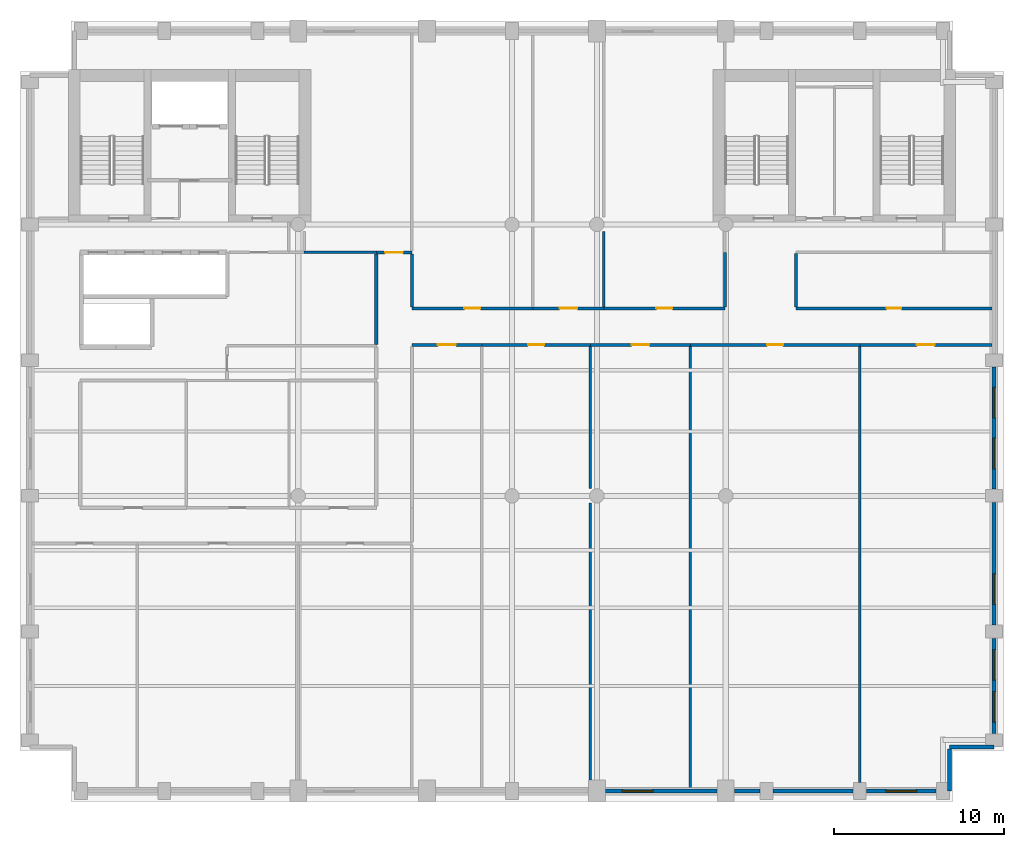
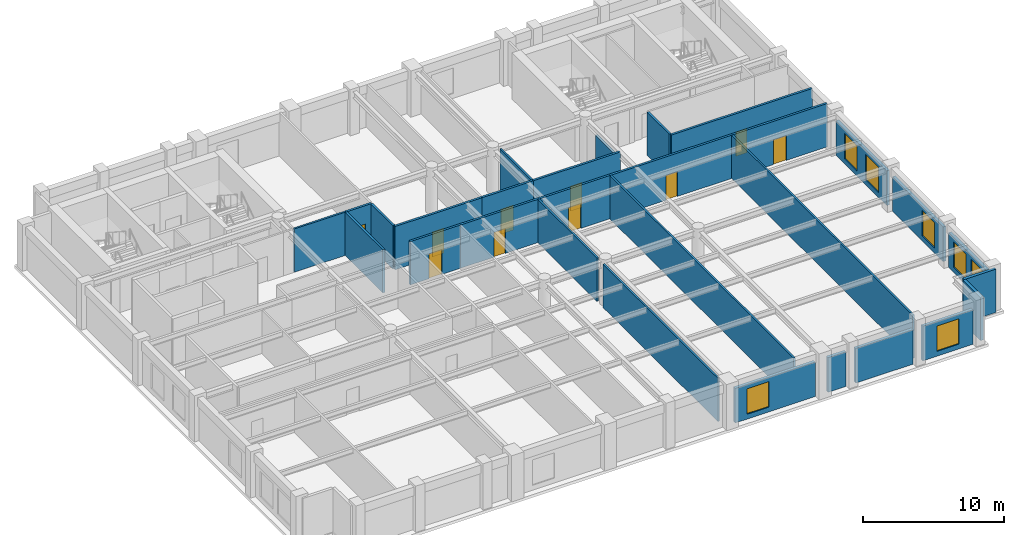
# One storey, part 4 of 8: 29 walls, 10 doors, 7 windows, 17 openings.
"""IFC4 building model written with IfcOpenShell, lengths in metres."""

from ifc_helpers import new_model, si_unit, direction, frame, frame_2d, origin, place, context, subcontext, project, spatial, rectangle, extrude, material, layer, layer_set, type_object, element, fill, save


model = new_model("IFC4")

# Units and contexts
model_context = context("Model", 3, precision=1e-05, world=origin(), true_north=direction((0.0, 1.0)))
body_context = subcontext(model_context, "Body", "Model", "MODEL_VIEW")
ifc_project = project(units=[si_unit("LENGTHUNIT", "METRE"), si_unit("AREAUNIT", "SQUARE_METRE"), si_unit("VOLUMEUNIT", "CUBIC_METRE"), si_unit("PLANEANGLEUNIT", "RADIAN"), si_unit("MASSUNIT", "GRAM", prefix="KILO")], contexts=[model_context])

# Site, building, storey
site_placement = place(None, origin())
site = spatial("IfcSite", under=ifc_project, at=site_placement, CompositionType="ELEMENT")
building_placement = place(site_placement, origin())
building = spatial("IfcBuilding", under=site, at=building_placement, Name="Sulina Concourse Tower", CompositionType="ELEMENT")
storey_placement = place(building_placement, frame((0.0, 0.0, 264.60009765625)))
storey = spatial("IfcBuildingStorey", under=building, at=storey_placement, Name="L64", CompositionType="ELEMENT", Elevation=264.60009765625)

# Wall, opening, window
ifc_material_1 = material(Name="Precast concrete C50/60", Category="concrete")
ifc_layer_1 = layer(ifc_material_1, 0.239990234375)
ifc_layer_set_1 = layer_set([ifc_layer_1], Name="Precast concrete C50/60")
wall_type_1 = type_object("IfcWallType", Name="Crown Precast Masonry-Frame Facade Wall 240mm", PredefinedType="SOLIDWALL", material=ifc_layer_set_1)
wall_1_placement = place(storey_placement, frame((41.080078125, 0.60009765625, 0.0), z_axis=(0.0, 0.0, 1.0), x_axis=(-1.0, 0.0, 0.0)))
wall_1 = element("IfcWall", 1, at=wall_1_placement, inside=storey, type_object=wall_type_1, Name="L64 exterior precast wall S7", PredefinedType="SOLIDWALL", context=body_context, shape_type="SweptSolid", body=[
    extrude(rectangle(XDim=6.56005859375, YDim=0.239990234375, at=frame_2d((3.280029296875, 0.0))), origin(), (0.0, 0.0, 1.0), 3.0),
])
opening_1_placement = place(wall_1_placement, frame((3.773193359375, 0.0, 0.419921875)))
opening_1 = element("IfcOpeningElement", 2, at=opening_1_placement, cuts=wall_1, Name="Opening WN-25", PredefinedType="OPENING", context=body_context, shape_type="SweptSolid", body=[
    extrude(rectangle(XDim=1.800048828125, YDim=2.199951171875, at=frame_2d((0.89990234375, 1.10009765625))), frame((0.0, 0.1298828125, 0.0), z_axis=(0.0, -1.0, 0.0), x_axis=(1.0, 0.0, 0.0)), (0.0, 0.0, 1.0), 0.260009765625),
])
ifc_material_2 = material(Name="Low-E solar double glazing in bronze aluminium", Category="aluminium")
window_type = type_object("IfcWindowType", Name="Punched Masonry-Frame Window 1800x2200", PartitioningType="SINGLE_PANEL", PredefinedType="WINDOW", material=ifc_material_2)
window_1_placement = place(opening_1_placement, origin())
window_1 = element("IfcWindow", 3, at=window_1_placement, inside=storey, type_object=window_type, Name="L64 punched window S7-1", OverallHeight=2.199951171875, OverallWidth=1.800048828125, PartitioningType="SINGLE_PANEL", PredefinedType="WINDOW", context=body_context, shape_type="SweptSolid", body=[
    extrude(rectangle(XDim=1.800048828125, YDim=2.199951171875, at=frame_2d((0.89990234375, 1.10009765625))), frame((0.0, 0.030029296875, 0.0), z_axis=(0.0, -1.0, 0.0), x_axis=(1.0, 0.0, 0.0)), (0.0, 0.0, 1.0), 0.06005859375),
])
fill(opening_1, window_1)

# Walls
wall_2_placement = place(storey_placement, frame((43.60498046875, 0.60009765625, 0.0), z_axis=(0.0, 0.0, 1.0), x_axis=(-1.0, 0.0, 0.0)))
element("IfcWall", 4, at=wall_2_placement, inside=storey, type_object=wall_type_1, Name="L64 exterior precast wall S8", PredefinedType="SOLIDWALL", context=body_context, shape_type="SweptSolid", body=[
    extrude(rectangle(XDim=1.48486328125, YDim=0.239990234375, at=frame_2d((0.742431640625, 0.0))), origin(), (0.0, 0.0, 1.0), 3.0),
])
wall_3_placement = place(storey_placement, frame((49.10498046875, 0.60009765625, 0.0), z_axis=(0.0, 0.0, 1.0), x_axis=(-1.0, 0.0, 0.0)))
element("IfcWall", 5, at=wall_3_placement, inside=storey, type_object=wall_type_1, Name="L64 exterior precast wall S9", PredefinedType="SOLIDWALL", context=body_context, shape_type="SweptSolid", body=[
    extrude(rectangle(XDim=4.7099609375, YDim=0.239990234375, at=frame_2d((2.35498046875, 0.0))), origin(), (0.0, 0.0, 1.0), 3.0),
])

# Wall, opening, window
wall_4_placement = place(storey_placement, frame((54.0048828125, 0.60009765625, 0.0), z_axis=(0.0, 0.0, 1.0), x_axis=(-1.0, 0.0, 0.0)))
wall_4 = element("IfcWall", 6, at=wall_4_placement, inside=storey, type_object=wall_type_1, Name="L64 exterior precast wall S10", PredefinedType="SOLIDWALL", context=body_context, shape_type="SweptSolid", body=[
    extrude(rectangle(XDim=4.10986328125, YDim=0.239990234375, at=frame_2d((2.054931640625, 0.0))), origin(), (0.0, 0.0, 1.0), 3.0),
])
opening_2_placement = place(wall_4_placement, frame((1.155029296875, 0.0, 0.419921875)))
opening_2 = element("IfcOpeningElement", 7, at=opening_2_placement, cuts=wall_4, Name="Opening WN-25", PredefinedType="OPENING", context=body_context, shape_type="SweptSolid", body=[
    extrude(rectangle(XDim=1.800048828125, YDim=2.199951171875, at=frame_2d((0.89990234375, 1.10009765625))), frame((0.0, 0.1298828125, 0.0), z_axis=(0.0, -1.0, 0.0), x_axis=(1.0, 0.0, 0.0)), (0.0, 0.0, 1.0), 0.260009765625),
])
window_2_placement = place(opening_2_placement, origin())
window_2 = element("IfcWindow", 8, at=window_2_placement, inside=storey, type_object=window_type, Name="L64 punched window S10-1", OverallHeight=2.199951171875, OverallWidth=1.800048828125, PartitioningType="SINGLE_PANEL", PredefinedType="WINDOW", context=body_context, shape_type="SweptSolid", body=[
    extrude(rectangle(XDim=1.800048828125, YDim=2.199951171875, at=frame_2d((0.89990234375, 1.10009765625))), frame((0.0, 0.030029296875, 0.0), z_axis=(0.0, -1.0, 0.0), x_axis=(1.0, 0.0, 0.0)), (0.0, 0.0, 1.0), 0.06005859375),
])
fill(opening_2, window_2)

# Wall, openings, windows
wall_5_placement = place(storey_placement, frame((57.39990234375, 9.60498046875, 0.0), z_axis=(0.0, 0.0, 1.0), x_axis=(0.0, -1.0, 0.0)))
wall_5 = element("IfcWall", 9, at=wall_5_placement, inside=storey, type_object=wall_type_1, Name="L64 exterior precast wall E1", PredefinedType="SOLIDWALL", context=body_context, shape_type="SweptSolid", body=[
    extrude(rectangle(XDim=5.60986328125, YDim=0.239990234375, at=frame_2d((2.804931640625, 0.0))), origin(), (0.0, 0.0, 1.0), 3.0),
])
opening_3_placement = place(wall_5_placement, frame((0.669921875, 0.0, 0.419921875)))
opening_3 = element("IfcOpeningElement", 10, at=opening_3_placement, cuts=wall_5, Name="Opening WN-25", PredefinedType="OPENING", context=body_context, shape_type="SweptSolid", body=[
    extrude(rectangle(XDim=1.800048828125, YDim=2.199951171875, at=frame_2d((0.89990234375, 1.10009765625))), frame((0.0, 0.1298828125, 0.0), z_axis=(0.0, -1.0, 0.0), x_axis=(1.0, 0.0, 0.0)), (0.0, 0.0, 1.0), 0.260009765625),
])
opening_4_placement = place(wall_5_placement, frame((3.139892578125, 0.0, 0.419921875)))
opening_4 = element("IfcOpeningElement", 11, at=opening_4_placement, cuts=wall_5, Name="Opening WN-25", PredefinedType="OPENING", context=body_context, shape_type="SweptSolid", body=[
    extrude(rectangle(XDim=1.800048828125, YDim=2.199951171875, at=frame_2d((0.89990234375, 1.10009765625))), frame((0.0, 0.1298828125, 0.0), z_axis=(0.0, -1.0, 0.0), x_axis=(1.0, 0.0, 0.0)), (0.0, 0.0, 1.0), 0.260009765625),
])
window_3_placement = place(opening_3_placement, origin())
window_3 = element("IfcWindow", 12, at=window_3_placement, inside=storey, type_object=window_type, Name="L64 punched window E1-1", OverallHeight=2.199951171875, OverallWidth=1.800048828125, PartitioningType="SINGLE_PANEL", PredefinedType="WINDOW", context=body_context, shape_type="SweptSolid", body=[
    extrude(rectangle(XDim=1.800048828125, YDim=2.199951171875, at=frame_2d((0.89990234375, 1.10009765625))), frame((0.0, 0.030029296875, 0.0), z_axis=(0.0, -1.0, 0.0), x_axis=(1.0, 0.0, 0.0)), (0.0, 0.0, 1.0), 0.06005859375),
])
fill(opening_3, window_3)
window_4_placement = place(opening_4_placement, origin())
window_4 = element("IfcWindow", 13, at=window_4_placement, inside=storey, type_object=window_type, Name="L64 punched window E1-2", OverallHeight=2.199951171875, OverallWidth=1.800048828125, PartitioningType="SINGLE_PANEL", PredefinedType="WINDOW", context=body_context, shape_type="SweptSolid", body=[
    extrude(rectangle(XDim=1.800048828125, YDim=2.199951171875, at=frame_2d((0.89990234375, 1.10009765625))), frame((0.0, 0.030029296875, 0.0), z_axis=(0.0, -1.0, 0.0), x_axis=(1.0, 0.0, 0.0)), (0.0, 0.0, 1.0), 0.06005859375),
])
fill(opening_4, window_4)

# Wall, opening, window
wall_6_placement = place(storey_placement, frame((57.39990234375, 17.60498046875, 0.0), z_axis=(0.0, 0.0, 1.0), x_axis=(0.0, -1.0, 0.0)))
wall_6 = element("IfcWall", 14, at=wall_6_placement, inside=storey, type_object=wall_type_1, Name="L64 exterior precast wall E2", PredefinedType="SOLIDWALL", context=body_context, shape_type="SweptSolid", body=[
    extrude(rectangle(XDim=7.2099609375, YDim=0.239990234375, at=frame_2d((3.60498046875, 0.0))), origin(), (0.0, 0.0, 1.0), 3.0),
])
opening_5_placement = place(wall_6_placement, frame((4.206787109375, 0.0, 0.419921875)))
opening_5 = element("IfcOpeningElement", 15, at=opening_5_placement, cuts=wall_6, Name="Opening WN-25", PredefinedType="OPENING", context=body_context, shape_type="SweptSolid", body=[
    extrude(rectangle(XDim=1.800048828125, YDim=2.199951171875, at=frame_2d((0.89990234375, 1.10009765625))), frame((0.0, 0.1298828125, 0.0), z_axis=(0.0, -1.0, 0.0), x_axis=(1.0, 0.0, 0.0)), (0.0, 0.0, 1.0), 0.260009765625),
])
window_5_placement = place(opening_5_placement, origin())
window_5 = element("IfcWindow", 16, at=window_5_placement, inside=storey, type_object=window_type, Name="L64 punched window E2-1", OverallHeight=2.199951171875, OverallWidth=1.800048828125, PartitioningType="SINGLE_PANEL", PredefinedType="WINDOW", context=body_context, shape_type="SweptSolid", body=[
    extrude(rectangle(XDim=1.800048828125, YDim=2.199951171875, at=frame_2d((0.89990234375, 1.10009765625))), frame((0.0, 0.030029296875, 0.0), z_axis=(0.0, -1.0, 0.0), x_axis=(1.0, 0.0, 0.0)), (0.0, 0.0, 1.0), 0.06005859375),
])
fill(opening_5, window_5)

# Wall, openings, windows
wall_7_placement = place(storey_placement, frame((57.39990234375, 25.60498046875, 0.0), z_axis=(0.0, 0.0, 1.0), x_axis=(0.0, -1.0, 0.0)))
wall_7 = element("IfcWall", 17, at=wall_7_placement, inside=storey, type_object=wall_type_1, Name="L64 exterior precast wall E3", PredefinedType="SOLIDWALL", context=body_context, shape_type="SweptSolid", body=[
    extrude(rectangle(XDim=7.2099609375, YDim=0.239990234375, at=frame_2d((3.60498046875, 0.0))), origin(), (0.0, 0.0, 1.0), 3.0),
])
opening_6_placement = place(wall_7_placement, frame((1.203369140625, 0.0, 0.419921875)))
opening_6 = element("IfcOpeningElement", 18, at=opening_6_placement, cuts=wall_7, Name="Opening WN-25", PredefinedType="OPENING", context=body_context, shape_type="SweptSolid", body=[
    extrude(rectangle(XDim=1.800048828125, YDim=2.199951171875, at=frame_2d((0.89990234375, 1.10009765625))), frame((0.0, 0.1298828125, 0.0), z_axis=(0.0, -1.0, 0.0), x_axis=(1.0, 0.0, 0.0)), (0.0, 0.0, 1.0), 0.260009765625),
])
opening_7_placement = place(wall_7_placement, frame((4.206787109375, 0.0, 0.419921875)))
opening_7 = element("IfcOpeningElement", 19, at=opening_7_placement, cuts=wall_7, Name="Opening WN-25", PredefinedType="OPENING", context=body_context, shape_type="SweptSolid", body=[
    extrude(rectangle(XDim=1.800048828125, YDim=2.199951171875, at=frame_2d((0.89990234375, 1.10009765625))), frame((0.0, 0.1298828125, 0.0), z_axis=(0.0, -1.0, 0.0), x_axis=(1.0, 0.0, 0.0)), (0.0, 0.0, 1.0), 0.260009765625),
])
window_6_placement = place(opening_6_placement, origin())
window_6 = element("IfcWindow", 20, at=window_6_placement, inside=storey, type_object=window_type, Name="L64 punched window E3-1", OverallHeight=2.199951171875, OverallWidth=1.800048828125, PartitioningType="SINGLE_PANEL", PredefinedType="WINDOW", context=body_context, shape_type="SweptSolid", body=[
    extrude(rectangle(XDim=1.800048828125, YDim=2.199951171875, at=frame_2d((0.89990234375, 1.10009765625))), frame((0.0, 0.030029296875, 0.0), z_axis=(0.0, -1.0, 0.0), x_axis=(1.0, 0.0, 0.0)), (0.0, 0.0, 1.0), 0.06005859375),
])
fill(opening_6, window_6)
window_7_placement = place(opening_7_placement, origin())
window_7 = element("IfcWindow", 21, at=window_7_placement, inside=storey, type_object=window_type, Name="L64 punched window E3-2", OverallHeight=2.199951171875, OverallWidth=1.800048828125, PartitioningType="SINGLE_PANEL", PredefinedType="WINDOW", context=body_context, shape_type="SweptSolid", body=[
    extrude(rectangle(XDim=1.800048828125, YDim=2.199951171875, at=frame_2d((0.89990234375, 1.10009765625))), frame((0.0, 0.030029296875, 0.0), z_axis=(0.0, -1.0, 0.0), x_axis=(1.0, 0.0, 0.0)), (0.0, 0.0, 1.0), 0.06005859375),
])
fill(opening_7, window_7)

# Walls
wall_8_placement = place(storey_placement, frame((57.39990234375, 3.205078125, 0.0), z_axis=(0.0, 0.0, 1.0), x_axis=(-1.0, 0.0, 0.0)))
element("IfcWall", 22, at=wall_8_placement, inside=storey, type_object=wall_type_1, Name="L64 exterior precast wall CSE1", PredefinedType="SOLIDWALL", context=body_context, shape_type="SweptSolid", body=[
    extrude(rectangle(XDim=2.60498046875, YDim=0.239990234375, at=frame_2d((1.302490234375, 0.0))), origin(), (0.0, 0.0, 1.0), 3.75),
])
wall_9_placement = place(storey_placement, frame((54.794921875, 3.080078125, 0.0), z_axis=(0.0, 0.0, 1.0), x_axis=(0.0, -1.0, 0.0)))
element("IfcWall", 23, at=wall_9_placement, inside=storey, type_object=wall_type_1, Name="L64 exterior precast wall CSE2", PredefinedType="SOLIDWALL", context=body_context, shape_type="SweptSolid", body=[
    extrude(rectangle(XDim=2.47998046875, YDim=0.239990234375, at=frame_2d((1.239990234375, 0.0))), origin(), (0.0, 0.0, 1.0), 3.75),
])
ifc_material_3 = material(Name="Gypsum board on steel stud", Category="steel")
ifc_layer_2 = layer(ifc_material_3, 0.14990234375)
ifc_layer_set_2 = layer_set([ifc_layer_2], Name="Gypsum board on steel stud")
wall_type_2 = type_object("IfcWallType", Name="Inter-Tenancy Acoustic Partition 150mm", PredefinedType="PARTITIONING", material=ifc_layer_set_2)
wall_10_placement = place(storey_placement, frame((16.75, 32.35009765625, 0.0), z_axis=(0.0, 0.0, 1.0), x_axis=(1.0, 0.0, 0.0)))
element("IfcWall", 24, at=wall_10_placement, inside=storey, type_object=wall_type_2, Name="L64 interior partition 023", PredefinedType="PARTITIONING", context=body_context, shape_type="SweptSolid", body=[
    extrude(rectangle(XDim=4.25, YDim=0.14990234375, at=frame_2d((2.125, 0.0))), origin(), (0.0, 0.0, 1.0), 3.75),
])
wall_11_placement = place(storey_placement, frame((33.6201171875, 1.25, 0.0), z_axis=(0.0, 0.0, 1.0), x_axis=(0.0, 1.0, 0.0)))
element("IfcWall", 25, at=wall_11_placement, inside=storey, type_object=wall_type_2, Name="L64 interior partition 050", PredefinedType="PARTITIONING", context=body_context, shape_type="SweptSolid", body=[
    extrude(rectangle(XDim=16.324951171875, YDim=0.14990234375, at=frame_2d((8.16259765625, 0.0))), origin(), (0.0, 0.0, 1.0), 3.75),
])
wall_12_placement = place(storey_placement, frame((33.6201171875, 18.425048828125, 0.0), z_axis=(0.0, 0.0, 1.0), x_axis=(0.0, 1.0, 0.0)))
element("IfcWall", 26, at=wall_12_placement, inside=storey, type_object=wall_type_2, Name="L64 interior partition 051", PredefinedType="PARTITIONING", context=body_context, shape_type="SweptSolid", body=[
    extrude(rectangle(XDim=8.385009765625, YDim=0.14990234375, at=frame_2d((4.1923828125, 0.0))), origin(), (0.0, 0.0, 1.0), 3.75),
])
wall_13_placement = place(storey_placement, frame((34.419921875, 29.139892578125, 0.0), z_axis=(0.0, 0.0, 1.0), x_axis=(0.0, 1.0, 0.0)))
element("IfcWall", 27, at=wall_13_placement, inside=storey, type_object=wall_type_2, Name="L64 interior partition 052", PredefinedType="PARTITIONING", context=body_context, shape_type="SweptSolid", body=[
    extrude(rectangle(XDim=4.43505859375, YDim=0.14990234375, at=frame_2d((2.217529296875, 0.0))), origin(), (0.0, 0.0, 1.0), 3.75),
])
wall_14_placement = place(storey_placement, frame((39.52001953125, 0.719970703125, 0.0), z_axis=(0.0, 0.0, 1.0), x_axis=(0.0, 1.0, 0.0)))
element("IfcWall", 28, at=wall_14_placement, inside=storey, type_object=wall_type_2, Name="L64 interior partition 054", PredefinedType="PARTITIONING", context=body_context, shape_type="SweptSolid", body=[
    extrude(rectangle(XDim=26.090087890625, YDim=0.14990234375, at=frame_2d((13.044921875, 0.0))), origin(), (0.0, 0.0, 1.0), 3.75),
])
wall_15_placement = place(storey_placement, frame((49.5, 1.10009765625, 0.0), z_axis=(0.0, 0.0, 1.0), x_axis=(0.0, 1.0, 0.0)))
element("IfcWall", 29, at=wall_15_placement, inside=storey, type_object=wall_type_2, Name="L64 interior partition 060", PredefinedType="PARTITIONING", context=body_context, shape_type="SweptSolid", body=[
    extrude(rectangle(XDim=25.7099609375, YDim=0.14990234375, at=frame_2d((12.85498046875, 0.0))), origin(), (0.0, 0.0, 1.0), 3.75),
])

# Wall, opening, door
ifc_material_4 = material(Name="Gypsum board on steel stud", Category="steel")
ifc_layer_3 = layer(ifc_material_4, 0.179931640625)
ifc_layer_set_3 = layer_set([ifc_layer_3], Name="Gypsum board on steel stud")
wall_type_3 = type_object("IfcWallType", Name="Protected Corridor & Riser Partition 180mm", PredefinedType="PARTITIONING", material=ifc_layer_set_3)
wall_16_placement = place(storey_placement, frame((23.10009765625, 26.89990234375, 0.0), z_axis=(0.0, 0.0, 1.0), x_axis=(1.0, 0.0, 0.0)))
wall_16 = element("IfcWall", 30, at=wall_16_placement, inside=storey, type_object=wall_type_3, Name="L64 interior partition 012", PredefinedType="PARTITIONING", context=body_context, shape_type="SweptSolid", body=[
    extrude(rectangle(XDim=4.119873046875, YDim=0.179931640625, at=frame_2d((2.06005859375, 0.0))), origin(), (0.0, 0.0, 1.0), 3.75),
])
opening_8_placement = place(wall_16_placement, frame((1.534912109375, 0.0, 0.0)))
opening_8 = element("IfcOpeningElement", 31, at=opening_8_placement, cuts=wall_16, Name="Opening DR-37", PredefinedType="OPENING", context=body_context, shape_type="SweptSolid", body=[
    extrude(rectangle(XDim=1.050048828125, YDim=2.14990234375, at=frame_2d((0.52490234375, 1.074951171875))), frame((0.0, 0.099853515625, 0.0), z_axis=(0.0, -1.0, 0.0), x_axis=(1.0, 0.0, 0.0)), (0.0, 0.0, 1.0), 0.199951171875),
])
ifc_material_5 = material(Name="Oak-veneered fire door leaf")
ifc_layer_4 = layer(ifc_material_5, 0.050048828125)
ifc_layer_set_4 = layer_set([ifc_layer_4], Name="Oak-veneered fire door leaf")
door_type_1 = type_object("IfcDoorType", Name="Tenant Suite Entrance Fire Door 1050x2150", OperationType="NOTDEFINED", PredefinedType="DOOR", material=ifc_layer_set_4)
door_1_placement = place(opening_8_placement, origin())
door_1 = element("IfcDoor", 32, at=door_1_placement, inside=storey, type_object=door_type_1, Name="L64 interior door L64-S04", OperationType="SINGLE_SWING_RIGHT", OverallHeight=2.14990234375, OverallWidth=1.050048828125, PredefinedType="DOOR", context=body_context, shape_type="SweptSolid", body=[
    extrude(rectangle(XDim=1.050048828125, YDim=2.14990234375, at=frame_2d((0.52490234375, 1.074951171875))), frame((0.0, 0.02490234375, 0.0), z_axis=(0.0, -1.0, 0.0), x_axis=(1.0, 0.0, 0.0)), (0.0, 0.0, 1.0), 0.050048828125),
])
fill(opening_8, door_1)

wall_17_placement = place(storey_placement, frame((27.219970703125, 26.89990234375, 0.0), z_axis=(0.0, 0.0, 1.0), x_axis=(1.0, 0.0, 0.0)))
wall_17 = element("IfcWall", 33, at=wall_17_placement, inside=storey, type_object=wall_type_3, Name="L64 interior partition 013", PredefinedType="PARTITIONING", context=body_context, shape_type="SweptSolid", body=[
    extrude(rectangle(XDim=6.400146484375, YDim=0.179931640625, at=frame_2d((3.2001953125, 0.0))), origin(), (0.0, 0.0, 1.0), 3.75),
])
opening_9_placement = place(wall_17_placement, frame((2.72509765625, 0.0, 0.0)))
opening_9 = element("IfcOpeningElement", 34, at=opening_9_placement, cuts=wall_17, Name="Opening DR-19", PredefinedType="OPENING", context=body_context, shape_type="SweptSolid", body=[
    extrude(rectangle(XDim=0.949951171875, YDim=2.14990234375, at=frame_2d((0.47509765625, 1.074951171875))), frame((0.0, 0.099853515625, 0.0), z_axis=(0.0, -1.0, 0.0), x_axis=(1.0, 0.0, 0.0)), (0.0, 0.0, 1.0), 0.199951171875),
])
ifc_material_6 = material(Name="Oak-veneered acoustic timber leaf", Category="wood")
ifc_layer_5 = layer(ifc_material_6, 0.050048828125)
ifc_layer_set_5 = layer_set([ifc_layer_5], Name="Oak-veneered acoustic timber leaf")
door_type_2 = type_object("IfcDoorType", Name="Cellular Office & Meeting Door 950x2150", OperationType="NOTDEFINED", PredefinedType="DOOR", material=ifc_layer_set_5)
door_2_placement = place(opening_9_placement, origin())
door_2 = element("IfcDoor", 35, at=door_2_placement, inside=storey, type_object=door_type_2, Name="L64 interior door L64-S05A", OperationType="SINGLE_SWING_LEFT", OverallHeight=2.14990234375, OverallWidth=0.949951171875, PredefinedType="DOOR", context=body_context, shape_type="SweptSolid", body=[
    extrude(rectangle(XDim=0.949951171875, YDim=2.14990234375, at=frame_2d((0.47509765625, 1.074951171875))), frame((0.0, 0.02490234375, 0.0), z_axis=(0.0, -1.0, 0.0), x_axis=(1.0, 0.0, 0.0)), (0.0, 0.0, 1.0), 0.050048828125),
])
fill(opening_9, door_2)

wall_18_placement = place(storey_placement, frame((33.6201171875, 26.89990234375, 0.0), z_axis=(0.0, 0.0, 1.0), x_axis=(1.0, 0.0, 0.0)))
wall_18 = element("IfcWall", 36, at=wall_18_placement, inside=storey, type_object=wall_type_3, Name="L64 interior partition 014", PredefinedType="PARTITIONING", context=body_context, shape_type="SweptSolid", body=[
    extrude(rectangle(XDim=5.89990234375, YDim=0.179931640625, at=frame_2d((2.949951171875, 0.0))), origin(), (0.0, 0.0, 1.0), 3.75),
])
opening_10_placement = place(wall_18_placement, frame((2.425048828125, 0.0, 0.0)))
opening_10 = element("IfcOpeningElement", 37, at=opening_10_placement, cuts=wall_18, Name="Opening DR-37", PredefinedType="OPENING", context=body_context, shape_type="SweptSolid", body=[
    extrude(rectangle(XDim=1.050048828125, YDim=2.14990234375, at=frame_2d((0.52490234375, 1.074951171875))), frame((0.0, 0.099853515625, 0.0), z_axis=(0.0, -1.0, 0.0), x_axis=(1.0, 0.0, 0.0)), (0.0, 0.0, 1.0), 0.199951171875),
])
door_3_placement = place(opening_10_placement, origin())
door_3 = element("IfcDoor", 38, at=door_3_placement, inside=storey, type_object=door_type_1, Name="L64 interior door L64-S05B", OperationType="SINGLE_SWING_RIGHT", OverallHeight=2.14990234375, OverallWidth=1.050048828125, PredefinedType="DOOR", context=body_context, shape_type="SweptSolid", body=[
    extrude(rectangle(XDim=1.050048828125, YDim=2.14990234375, at=frame_2d((0.52490234375, 1.074951171875))), frame((0.0, 0.02490234375, 0.0), z_axis=(0.0, -1.0, 0.0), x_axis=(1.0, 0.0, 0.0)), (0.0, 0.0, 1.0), 0.050048828125),
])
fill(opening_10, door_3)

wall_19_placement = place(storey_placement, frame((39.52001953125, 26.89990234375, 0.0), z_axis=(0.0, 0.0, 1.0), x_axis=(1.0, 0.0, 0.0)))
wall_19 = element("IfcWall", 39, at=wall_19_placement, inside=storey, type_object=wall_type_3, Name="L64 interior partition 015", PredefinedType="PARTITIONING", context=body_context, shape_type="SweptSolid", body=[
    extrude(rectangle(XDim=9.97998046875, YDim=0.179931640625, at=frame_2d((4.989990234375, 0.0))), origin(), (0.0, 0.0, 1.0), 3.75),
])
opening_11_placement = place(wall_19_placement, frame((4.514892578125, 0.0, 0.0)))
opening_11 = element("IfcOpeningElement", 40, at=opening_11_placement, cuts=wall_19, Name="Opening DR-19", PredefinedType="OPENING", context=body_context, shape_type="SweptSolid", body=[
    extrude(rectangle(XDim=0.949951171875, YDim=2.14990234375, at=frame_2d((0.47509765625, 1.074951171875))), frame((0.0, 0.099853515625, 0.0), z_axis=(0.0, -1.0, 0.0), x_axis=(1.0, 0.0, 0.0)), (0.0, 0.0, 1.0), 0.199951171875),
])
door_4_placement = place(opening_11_placement, origin())
door_4 = element("IfcDoor", 41, at=door_4_placement, inside=storey, type_object=door_type_2, Name="L64 interior door L64-S06", OperationType="SINGLE_SWING_LEFT", OverallHeight=2.14990234375, OverallWidth=0.949951171875, PredefinedType="DOOR", context=body_context, shape_type="SweptSolid", body=[
    extrude(rectangle(XDim=0.949951171875, YDim=2.14990234375, at=frame_2d((0.47509765625, 1.074951171875))), frame((0.0, 0.02490234375, 0.0), z_axis=(0.0, -1.0, 0.0), x_axis=(1.0, 0.0, 0.0)), (0.0, 0.0, 1.0), 0.050048828125),
])
fill(opening_11, door_4)

wall_20_placement = place(storey_placement, frame((49.5, 26.89990234375, 0.0), z_axis=(0.0, 0.0, 1.0), x_axis=(1.0, 0.0, 0.0)))
wall_20 = element("IfcWall", 42, at=wall_20_placement, inside=storey, type_object=wall_type_3, Name="L64 interior partition 016", PredefinedType="PARTITIONING", context=body_context, shape_type="SweptSolid", body=[
    extrude(rectangle(XDim=7.780029296875, YDim=0.179931640625, at=frame_2d((3.89013671875, 0.0))), origin(), (0.0, 0.0, 1.0), 3.75),
])
opening_12_placement = place(wall_20_placement, frame((3.364990234375, 0.0, 0.0)))
opening_12 = element("IfcOpeningElement", 43, at=opening_12_placement, cuts=wall_20, Name="Opening DR-37", PredefinedType="OPENING", context=body_context, shape_type="SweptSolid", body=[
    extrude(rectangle(XDim=1.050048828125, YDim=2.14990234375, at=frame_2d((0.52490234375, 1.074951171875))), frame((0.0, 0.099853515625, 0.0), z_axis=(0.0, -1.0, 0.0), x_axis=(1.0, 0.0, 0.0)), (0.0, 0.0, 1.0), 0.199951171875),
])
door_5_placement = place(opening_12_placement, origin())
door_5 = element("IfcDoor", 44, at=door_5_placement, inside=storey, type_object=door_type_1, Name="L64 interior door L64-S07", OperationType="SINGLE_SWING_RIGHT", OverallHeight=2.14990234375, OverallWidth=1.050048828125, PredefinedType="DOOR", context=body_context, shape_type="SweptSolid", body=[
    extrude(rectangle(XDim=1.050048828125, YDim=2.14990234375, at=frame_2d((0.52490234375, 1.074951171875))), frame((0.0, 0.02490234375, 0.0), z_axis=(0.0, -1.0, 0.0), x_axis=(1.0, 0.0, 0.0)), (0.0, 0.0, 1.0), 0.050048828125),
])
fill(opening_12, door_5)

wall_21_placement = place(storey_placement, frame((23.10009765625, 29.050048828125, 0.0), z_axis=(0.0, 0.0, 1.0), x_axis=(1.0, 0.0, 0.0)))
wall_21 = element("IfcWall", 45, at=wall_21_placement, inside=storey, type_object=wall_type_3, Name="L64 interior partition 017", PredefinedType="PARTITIONING", context=body_context, shape_type="SweptSolid", body=[
    extrude(rectangle(XDim=7.1298828125, YDim=0.179931640625, at=frame_2d((3.56494140625, 0.0))), origin(), (0.0, 0.0, 1.0), 3.75),
])
opening_13_placement = place(wall_21_placement, frame((3.090087890625, 0.0, 0.0)))
opening_13 = element("IfcOpeningElement", 46, at=opening_13_placement, cuts=wall_21, Name="Opening DR-19", PredefinedType="OPENING", context=body_context, shape_type="SweptSolid", body=[
    extrude(rectangle(XDim=0.949951171875, YDim=2.14990234375, at=frame_2d((0.47509765625, 1.074951171875))), frame((0.0, 0.099853515625, 0.0), z_axis=(0.0, -1.0, 0.0), x_axis=(1.0, 0.0, 0.0)), (0.0, 0.0, 1.0), 0.199951171875),
])
door_6_placement = place(opening_13_placement, origin())
door_6 = element("IfcDoor", 47, at=door_6_placement, inside=storey, type_object=door_type_2, Name="L64 interior door L64-NC1", OperationType="SINGLE_SWING_LEFT", OverallHeight=2.14990234375, OverallWidth=0.949951171875, PredefinedType="DOOR", context=body_context, shape_type="SweptSolid", body=[
    extrude(rectangle(XDim=0.949951171875, YDim=2.14990234375, at=frame_2d((0.47509765625, 1.074951171875))), frame((0.0, 0.02490234375, 0.0), z_axis=(0.0, -1.0, 0.0), x_axis=(1.0, 0.0, 0.0)), (0.0, 0.0, 1.0), 0.050048828125),
])
fill(opening_13, door_6)

wall_22_placement = place(storey_placement, frame((30.22998046875, 29.050048828125, 0.0), z_axis=(0.0, 0.0, 1.0), x_axis=(1.0, 0.0, 0.0)))
wall_22 = element("IfcWall", 48, at=wall_22_placement, inside=storey, type_object=wall_type_3, Name="L64 interior partition 018", PredefinedType="PARTITIONING", context=body_context, shape_type="SweptSolid", body=[
    extrude(rectangle(XDim=4.18994140625, YDim=0.179931640625, at=frame_2d((2.094970703125, 0.0))), origin(), (0.0, 0.0, 1.0), 3.75),
])
opening_14_placement = place(wall_22_placement, frame((1.570068359375, 0.0, 0.0)))
opening_14 = element("IfcOpeningElement", 49, at=opening_14_placement, cuts=wall_22, Name="Opening DR-37", PredefinedType="OPENING", context=body_context, shape_type="SweptSolid", body=[
    extrude(rectangle(XDim=1.050048828125, YDim=2.14990234375, at=frame_2d((0.52490234375, 1.074951171875))), frame((0.0, 0.099853515625, 0.0), z_axis=(0.0, -1.0, 0.0), x_axis=(1.0, 0.0, 0.0)), (0.0, 0.0, 1.0), 0.199951171875),
])
door_7_placement = place(opening_14_placement, origin())
door_7 = element("IfcDoor", 50, at=door_7_placement, inside=storey, type_object=door_type_1, Name="L64 interior door L64-NC2", OperationType="SINGLE_SWING_RIGHT", OverallHeight=2.14990234375, OverallWidth=1.050048828125, PredefinedType="DOOR", context=body_context, shape_type="SweptSolid", body=[
    extrude(rectangle(XDim=1.050048828125, YDim=2.14990234375, at=frame_2d((0.52490234375, 1.074951171875))), frame((0.0, 0.02490234375, 0.0), z_axis=(0.0, -1.0, 0.0), x_axis=(1.0, 0.0, 0.0)), (0.0, 0.0, 1.0), 0.050048828125),
])
fill(opening_14, door_7)

wall_23_placement = place(storey_placement, frame((34.419921875, 29.050048828125, 0.0), z_axis=(0.0, 0.0, 1.0), x_axis=(1.0, 0.0, 0.0)))
wall_23 = element("IfcWall", 51, at=wall_23_placement, inside=storey, type_object=wall_type_3, Name="L64 interior partition 019", PredefinedType="PARTITIONING", context=body_context, shape_type="SweptSolid", body=[
    extrude(rectangle(XDim=7.130126953125, YDim=0.179931640625, at=frame_2d((3.56494140625, 0.0))), origin(), (0.0, 0.0, 1.0), 3.75),
])
opening_15_placement = place(wall_23_placement, frame((3.090087890625, 0.0, 0.0)))
opening_15 = element("IfcOpeningElement", 52, at=opening_15_placement, cuts=wall_23, Name="Opening DR-19", PredefinedType="OPENING", context=body_context, shape_type="SweptSolid", body=[
    extrude(rectangle(XDim=0.949951171875, YDim=2.14990234375, at=frame_2d((0.47509765625, 1.074951171875))), frame((0.0, 0.099853515625, 0.0), z_axis=(0.0, -1.0, 0.0), x_axis=(1.0, 0.0, 0.0)), (0.0, 0.0, 1.0), 0.199951171875),
])
door_8_placement = place(opening_15_placement, origin())
door_8 = element("IfcDoor", 53, at=door_8_placement, inside=storey, type_object=door_type_2, Name="L64 interior door L64-NC3", OperationType="SINGLE_SWING_LEFT", OverallHeight=2.14990234375, OverallWidth=0.949951171875, PredefinedType="DOOR", context=body_context, shape_type="SweptSolid", body=[
    extrude(rectangle(XDim=0.949951171875, YDim=2.14990234375, at=frame_2d((0.47509765625, 1.074951171875))), frame((0.0, 0.02490234375, 0.0), z_axis=(0.0, -1.0, 0.0), x_axis=(1.0, 0.0, 0.0)), (0.0, 0.0, 1.0), 0.050048828125),
])
fill(opening_15, door_8)

wall_24_placement = place(storey_placement, frame((45.75, 29.050048828125, 0.0), z_axis=(0.0, 0.0, 1.0), x_axis=(1.0, 0.0, 0.0)))
wall_24 = element("IfcWall", 54, at=wall_24_placement, inside=storey, type_object=wall_type_3, Name="L64 interior partition 020", PredefinedType="PARTITIONING", context=body_context, shape_type="SweptSolid", body=[
    extrude(rectangle(XDim=11.530029296875, YDim=0.179931640625, at=frame_2d((5.76513671875, 0.0))), origin(), (0.0, 0.0, 1.0), 3.75),
])
opening_16_placement = place(wall_24_placement, frame((5.324951171875, 0.0, 0.0)))
opening_16 = element("IfcOpeningElement", 55, at=opening_16_placement, cuts=wall_24, Name="Opening DR-38", PredefinedType="OPENING", context=body_context, shape_type="SweptSolid", body=[
    extrude(rectangle(XDim=0.8798828125, YDim=2.10009765625, at=frame_2d((0.43994140625, 1.050048828125))), frame((0.0, 0.099853515625, 0.0), z_axis=(0.0, -1.0, 0.0), x_axis=(1.0, 0.0, 0.0)), (0.0, 0.0, 1.0), 0.199951171875),
])
ifc_material_7 = material(Name="Galvanised steel acoustic fire leaf", Category="steel")
ifc_layer_6 = layer(ifc_material_7, 0.050048828125)
ifc_layer_set_6 = layer_set([ifc_layer_6], Name="Galvanised steel acoustic fire leaf")
door_type_3 = type_object("IfcDoorType", Name="Service Riser Fire Door 880x2100", OperationType="NOTDEFINED", PredefinedType="DOOR", material=ifc_layer_set_6)
door_9_placement = place(opening_16_placement, origin())
door_9 = element("IfcDoor", 56, at=door_9_placement, inside=storey, type_object=door_type_3, Name="L64 interior door L64-NE1", OperationType="SINGLE_SWING_RIGHT", OverallHeight=2.10009765625, OverallWidth=0.8798828125, PredefinedType="DOOR", context=body_context, shape_type="SweptSolid", body=[
    extrude(rectangle(XDim=0.8798828125, YDim=2.10009765625, at=frame_2d((0.43994140625, 1.050048828125))), frame((0.0, 0.02490234375, 0.0), z_axis=(0.0, -1.0, 0.0), x_axis=(1.0, 0.0, 0.0)), (0.0, 0.0, 1.0), 0.050048828125),
])
fill(opening_16, door_9)

wall_25_placement = place(storey_placement, frame((21.0, 32.35009765625, 0.0), z_axis=(0.0, 0.0, 1.0), x_axis=(1.0, 0.0, 0.0)))
wall_25 = element("IfcWall", 57, at=wall_25_placement, inside=storey, type_object=wall_type_3, Name="L64 interior partition 024", PredefinedType="PARTITIONING", context=body_context, shape_type="SweptSolid", body=[
    extrude(rectangle(XDim=2.10009765625, YDim=0.179931640625, at=frame_2d((1.050048828125, 0.0))), origin(), (0.0, 0.0, 1.0), 3.75),
])
opening_17_placement = place(wall_25_placement, frame((0.52490234375, 0.0, 0.0)))
opening_17 = element("IfcOpeningElement", 58, at=opening_17_placement, cuts=wall_25, Name="Opening DR-37", PredefinedType="OPENING", context=body_context, shape_type="SweptSolid", body=[
    extrude(rectangle(XDim=1.050048828125, YDim=2.14990234375, at=frame_2d((0.52490234375, 1.074951171875))), frame((0.0, 0.099853515625, 0.0), z_axis=(0.0, -1.0, 0.0), x_axis=(1.0, 0.0, 0.0)), (0.0, 0.0, 1.0), 0.199951171875),
])
door_10_placement = place(opening_17_placement, origin())
door_10 = element("IfcDoor", 59, at=door_10_placement, inside=storey, type_object=door_type_1, Name="L64 interior door L64-NC-NW", OperationType="SINGLE_SWING_RIGHT", OverallHeight=2.14990234375, OverallWidth=1.050048828125, PredefinedType="DOOR", context=body_context, shape_type="SweptSolid", body=[
    extrude(rectangle(XDim=1.050048828125, YDim=2.14990234375, at=frame_2d((0.52490234375, 1.074951171875))), frame((0.0, 0.02490234375, 0.0), z_axis=(0.0, -1.0, 0.0), x_axis=(1.0, 0.0, 0.0)), (0.0, 0.0, 1.0), 0.050048828125),
])
fill(opening_17, door_10)

# Walls
wall_26_placement = place(storey_placement, frame((21.0, 26.925048828125, 0.0), z_axis=(0.0, 0.0, 1.0), x_axis=(0.0, 1.0, 0.0)))
element("IfcWall", 60, at=wall_26_placement, inside=storey, type_object=wall_type_3, Name="L64 interior partition 042", PredefinedType="PARTITIONING", context=body_context, shape_type="SweptSolid", body=[
    extrude(rectangle(XDim=5.3349609375, YDim=0.179931640625, at=frame_2d((2.66748046875, 0.0))), origin(), (0.0, 0.0, 1.0), 3.75),
])
wall_27_placement = place(storey_placement, frame((23.10009765625, 29.139892578125, 0.0), z_axis=(0.0, 0.0, 1.0), x_axis=(0.0, 1.0, 0.0)))
element("IfcWall", 61, at=wall_27_placement, inside=storey, type_object=wall_type_3, Name="L64 interior partition 046", PredefinedType="PARTITIONING", context=body_context, shape_type="SweptSolid", body=[
    extrude(rectangle(XDim=3.1201171875, YDim=0.179931640625, at=frame_2d((1.56005859375, 0.0))), origin(), (0.0, 0.0, 1.0), 3.75),
])
wall_28_placement = place(storey_placement, frame((41.550048828125, 29.139892578125, 0.0), z_axis=(0.0, 0.0, 1.0), x_axis=(0.0, 1.0, 0.0)))
element("IfcWall", 62, at=wall_28_placement, inside=storey, type_object=wall_type_3, Name="L64 interior partition 055", PredefinedType="PARTITIONING", context=body_context, shape_type="SweptSolid", body=[
    extrude(rectangle(XDim=3.210205078125, YDim=0.179931640625, at=frame_2d((1.60498046875, 0.0))), origin(), (0.0, 0.0, 1.0), 3.19482421875),
])
wall_29_placement = place(storey_placement, frame((45.75, 29.139892578125, 0.0), z_axis=(0.0, 0.0, 1.0), x_axis=(0.0, 1.0, 0.0)))
element("IfcWall", 63, at=wall_29_placement, inside=storey, type_object=wall_type_3, Name="L64 interior partition 058", PredefinedType="PARTITIONING", context=body_context, shape_type="SweptSolid", body=[
    extrude(rectangle(XDim=3.135009765625, YDim=0.179931640625, at=frame_2d((1.5673828125, 0.0))), origin(), (0.0, 0.0, 1.0), 3.75),
])

save(model, "model.ifc")
